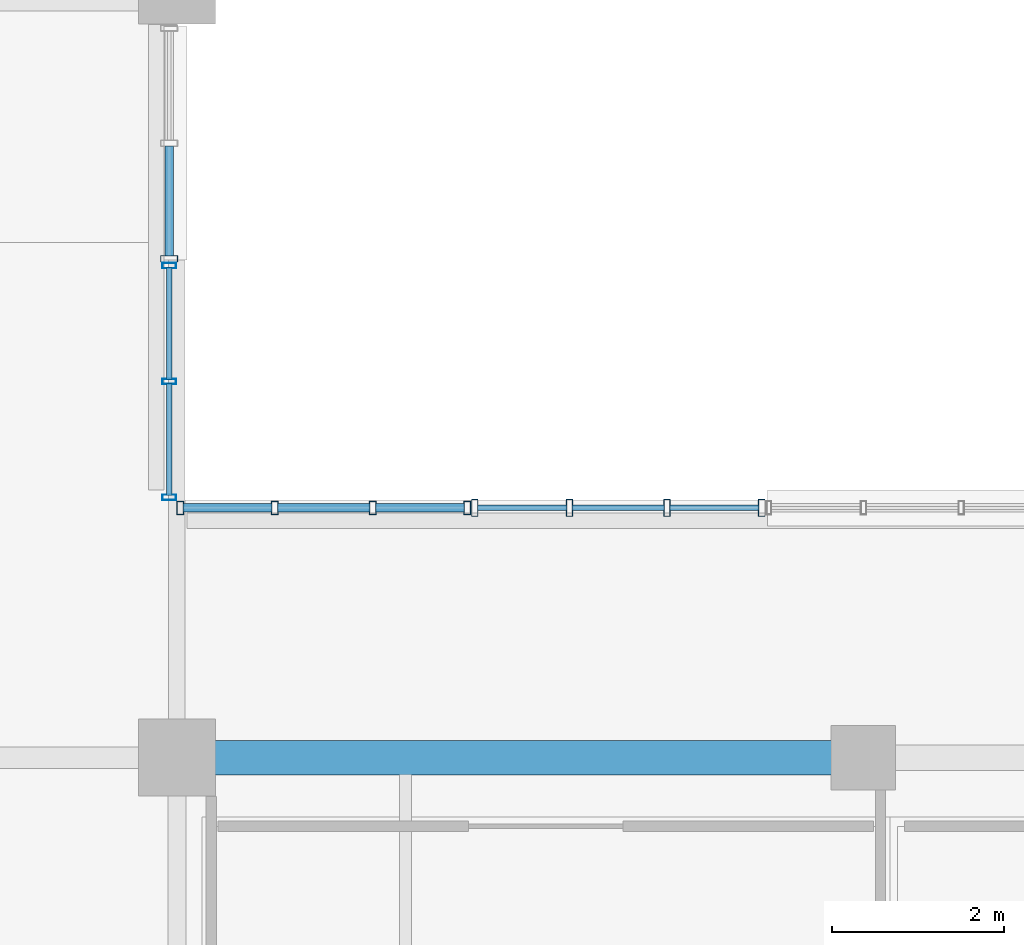
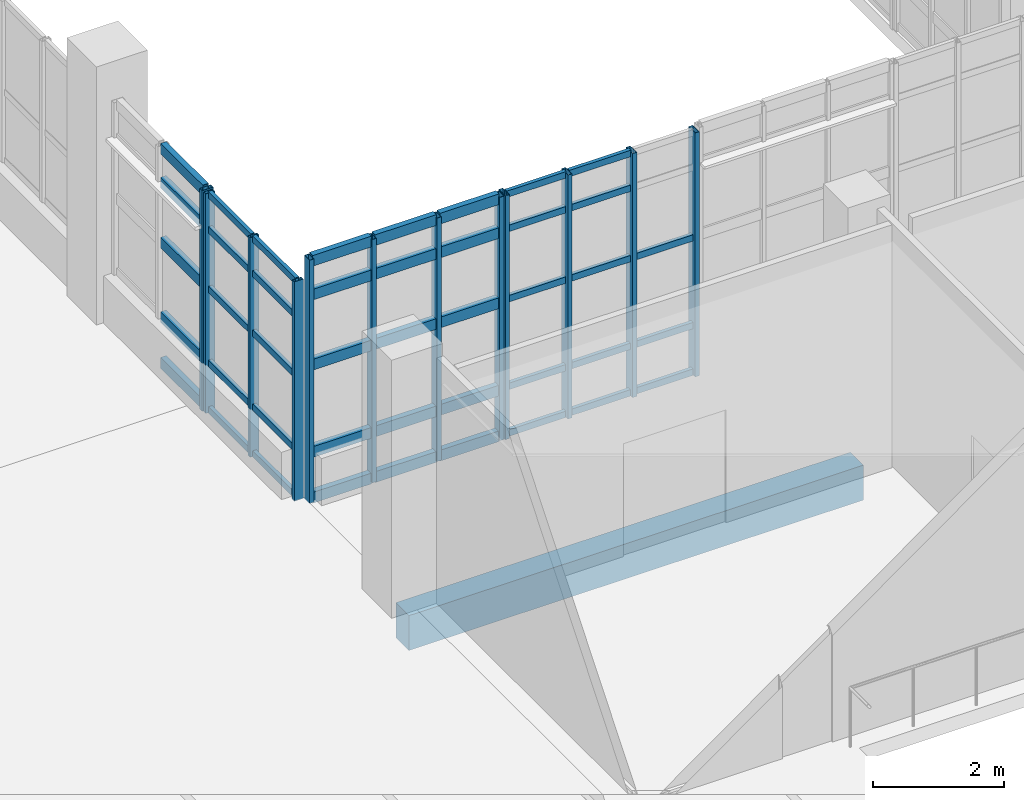
# One storey, part 21 of 102: 55 members, 1 beam, 4 elements without a shape of their own.
"""IFC4 building model written with IfcOpenShell, lengths in metres."""

import ifcopenshell
import ifcopenshell.guid

model = None  # the IFC model being written
_history = None  # IfcOwnerHistory: only IFC2X3 demands one
_inside = {}  # id of a spatial element -> (the spatial element, [elements in it])
_under = {}  # id of a project, library or spatial element -> (it, [spatial elements below it])
_declared = {}  # id of a project -> (the project, [libraries it declares])
_typed = {}  # id of a type object -> (the type object, [elements of that type])
_made_of = {}  # id of a material, layer set ... -> (it, [elements and type objects made of it])


def new_model(schema):
    """Start an empty IFC model of exactly this schema.

    Asked for "IFC4X3", IfcOpenShell would pick the latest addendum, in which some entities
    have other attributes; the version numbers below select the first issue.
    IFC2X3 requires an IfcOwnerHistory on every rooted entity: one is made here for all.
    """
    global model, _history
    if schema == "IFC4X3":
        model = ifcopenshell.file(schema_version=(4, 3, 0, 0))
    else:
        model = ifcopenshell.file(schema=schema)
    _inside.clear()
    _under.clear()
    _declared.clear()
    _typed.clear()
    _made_of.clear()
    _history = None
    if model.schema == "IFC2X3":
        org = make("IfcOrganization", Name="unknown")
        user = make(
            "IfcPersonAndOrganization",
            ThePerson=make("IfcPerson", FamilyName="unknown"),
            TheOrganization=org,
        )
        app = make(
            "IfcApplication",
            ApplicationDeveloper=org,
            Version="unknown",
            ApplicationFullName="unknown",
            ApplicationIdentifier="unknown",
        )
        _history = make(
            "IfcOwnerHistory",
            OwningUser=user,
            OwningApplication=app,
            ChangeAction="ADDED",
            CreationDate=0,
        )
    return model


def make(cls, **values):
    """One entity of the class cls with the attributes given. An attribute that is None is left unset."""
    return model.create_entity(
        cls, **{name: value for name, value in values.items() if value is not None}
    )


def rooted(cls, **values):
    """An entity with a GlobalId (a new one), such as an element, a storey or a relation."""
    return make(cls, GlobalId=ifcopenshell.guid.new(), OwnerHistory=_history, **values)


def si_unit(unit_type, name, prefix=None):
    """IfcSIUnit, for example si_unit("LENGTHUNIT", "METRE", prefix="MILLI")."""
    return make("IfcSIUnit", UnitType=unit_type, Prefix=prefix, Name=name)


def derived_unit(unit_type, elements):
    """IfcDerivedUnit: a product of units, each with its exponent."""
    return make(
        "IfcDerivedUnit",
        Elements=[
            make("IfcDerivedUnitElement", Unit=unit, Exponent=power)
            for unit, power in elements
        ],
        UnitType=unit_type,
    )


def assignment(units):
    """IfcUnitAssignment: the units of a project."""
    return None if units is None else make("IfcUnitAssignment", Units=units)


def point(xyz):
    """IfcCartesianPoint."""
    return None if xyz is None else make("IfcCartesianPoint", Coordinates=xyz)


def direction(xyz):
    """IfcDirection."""
    return None if xyz is None else make("IfcDirection", DirectionRatios=xyz)


def frame(location, z_axis=None, x_axis=None):
    """IfcAxis2Placement3D, a coordinate frame: its origin and axes. An axis left out is left unset."""
    return make(
        "IfcAxis2Placement3D",
        Location=point(location),
        Axis=direction(z_axis),
        RefDirection=direction(x_axis),
    )


def frame_2d(location, x_axis=None):
    """IfcAxis2Placement2D, a coordinate frame in the plane: its origin and x axis."""
    return make(
        "IfcAxis2Placement2D", Location=point(location), RefDirection=direction(x_axis)
    )


def origin():
    """The frame at (0, 0, 0) with its axes left unset."""
    return frame((0.0, 0.0, 0.0))


def origin_2d():
    """The frame at (0, 0) in the plane with its x axis left unset."""
    return frame_2d((0.0, 0.0))


def place(relative_to, where):
    """IfcLocalPlacement: puts the frame where relative to a parent placement (None: the world)."""
    return make(
        "IfcLocalPlacement", PlacementRelTo=relative_to, RelativePlacement=where
    )


def context(
    kind, dimensions, precision=None, world=None, true_north=None, identifier=None
):
    """IfcGeometricRepresentationContext, for example the 3D "Model" context."""
    return make(
        "IfcGeometricRepresentationContext",
        ContextIdentifier=identifier,
        ContextType=kind,
        CoordinateSpaceDimension=dimensions,
        Precision=precision,
        WorldCoordinateSystem=world,
        TrueNorth=true_north,
    )


def subcontext(parent, identifier, kind, view, scale=None):
    """IfcGeometricRepresentationSubContext, for example "Body" below "Model"."""
    return make(
        "IfcGeometricRepresentationSubContext",
        ContextIdentifier=identifier,
        ContextType=kind,
        ParentContext=parent,
        TargetScale=scale,
        TargetView=view,
    )


def project(units=None, contexts=None):
    """IfcProject with its units and contexts."""
    return rooted(
        "IfcProject",
        Name="project",
        RepresentationContexts=contexts,
        UnitsInContext=assignment(units),
    )


def spatial(cls, under=None, at=None, **own):
    """A site, building, storey or space (cls), placed at a placement, below another one or the project."""
    s = rooted(cls, ObjectPlacement=at, **own)
    if under is not None:
        _under.setdefault(under.id(), (under, []))[1].append(s)
    return s


def profile(cls, at=None, kind="AREA", **sizes):
    """A parametric profile (cls). Its sizes go by their IFC names, for example OverallWidth=200.0."""
    return make(cls, ProfileType=kind, Position=at, **sizes)


def rectangle(**sizes):
    """IfcRectangleProfileDef."""
    return profile("IfcRectangleProfileDef", **sizes)


def hollow_rectangle(**sizes):
    """IfcRectangleHollowProfileDef."""
    return profile("IfcRectangleHollowProfileDef", **sizes)


def extrude(swept, where, along, depth):
    """IfcExtrudedAreaSolid: the profile swept, set in the frame where, extruded along a direction by depth."""
    return make(
        "IfcExtrudedAreaSolid",
        SweptArea=swept,
        Position=where,
        ExtrudedDirection=direction(along),
        Depth=depth,
    )


def shape(context_of_items, identifier, shape_type, items):
    """IfcShapeRepresentation: the items that make up one representation, for example the "Body"."""
    return make(
        "IfcShapeRepresentation",
        ContextOfItems=context_of_items,
        RepresentationIdentifier=identifier,
        RepresentationType=shape_type,
        Items=items,
    )


def material(Name=None, Category=None):
    """IfcMaterial."""
    return make("IfcMaterial", Name=Name, Category=Category)


def layer(
    of_material, thickness, ventilated=None, Name=None, Category=None, Priority=None
):
    """IfcMaterialLayer: one layer of a wall or slab, of a material (None: an air gap)."""
    return make(
        "IfcMaterialLayer",
        Material=of_material,
        LayerThickness=thickness,
        IsVentilated=ventilated,
        Name=Name,
        Category=Category,
        Priority=Priority,
    )


def layer_set(layers, Name=None):
    """IfcMaterialLayerSet."""
    return make("IfcMaterialLayerSet", MaterialLayers=layers, LayerSetName=Name)


def material_profile(
    of_material, cross_section, Name=None, Category=None, Priority=None
):
    """IfcMaterialProfile: a cross section and its material."""
    return make(
        "IfcMaterialProfile",
        Name=Name,
        Material=of_material,
        Profile=cross_section,
        Priority=Priority,
        Category=Category,
    )


def profile_set(profiles, Name=None, composite=None):
    """IfcMaterialProfileSet."""
    return make(
        "IfcMaterialProfileSet",
        Name=Name,
        MaterialProfiles=profiles,
        CompositeProfile=composite,
    )


def made_of(thing, what):
    """Note that an element or type object is made of a material, layer set ...; save() writes the relation."""
    if what is not None:
        _made_of.setdefault(what.id(), (what, []))[1].append(thing)
    return thing


def type_object(cls, material=None, **own):
    """A type object (cls), such as IfcWallType, which elements share."""
    return made_of(rooted(cls, **own), material)


def element(
    cls,
    number,
    at=None,
    inside=None,
    cuts=None,
    type_object=None,
    material=None,
    context=None,
    identifier="Body",
    shape_type=None,
    held_by="IfcProductDefinitionShape",
    body=None,
    shapes=None,
    **own,
):
    """One element of the class cls, such as IfcWall. Its Tag is "e" and its number.

    at: its placement. inside: the storey or other place that contains it. cuts: it is an
    opening in that element (IfcRelVoidsElement). A single representation is given by context,
    identifier, shape_type and body (its items); several are given by shapes. held_by: the class
    of the entity that holds the representations. save() writes the other relations.
    """
    e = rooted(cls, Tag="e%d" % number, ObjectPlacement=at, **own)
    if body is not None:
        shapes = [shape(context, identifier, shape_type, body)]
    if shapes is not None:
        e.Representation = make(held_by, Representations=shapes)
    if inside is not None:
        _inside.setdefault(inside.id(), (inside, []))[1].append(e)
    if cuts is not None:
        rooted(
            "IfcRelVoidsElement", RelatingBuildingElement=cuts, RelatedOpeningElement=e
        )
    if type_object is not None:
        _typed.setdefault(type_object.id(), (type_object, []))[1].append(e)
    return made_of(e, material)


def aggregate(whole, parts):
    """IfcRelAggregates: a whole, such as a stair, and the parts it consists of."""
    return rooted("IfcRelAggregates", RelatingObject=whole, RelatedObjects=parts)


def save(model, path):
    """Write the relations noted so far, then the file.

    IfcRelAggregates (storeys below a building ...), IfcRelContainedInSpatialStructure (elements
    in a storey), IfcRelDefinesByType, IfcRelAssociatesMaterial and IfcRelDeclares: one each for
    every whole, place, type object, material and project.
    """
    for whole, parts in _under.values():
        aggregate(whole, parts)
    for where, things in _inside.values():
        rooted(
            "IfcRelContainedInSpatialStructure",
            RelatedElements=things,
            RelatingStructure=where,
        )
    for kind, things in _typed.values():
        rooted("IfcRelDefinesByType", RelatedObjects=things, RelatingType=kind)
    for what, things in _made_of.values():
        rooted("IfcRelAssociatesMaterial", RelatedObjects=things, RelatingMaterial=what)
    for by, libraries in _declared.values():
        rooted("IfcRelDeclares", RelatingContext=by, RelatedDefinitions=libraries)
    model.write(path)


model = new_model("IFC4")

# Units and contexts
model_context = context("Model", 3, precision=1e-05, world=origin(), true_north=direction((0.0, 1.0)))
body_context = subcontext(model_context, "Body", "Model", "MODEL_VIEW")
ifc_project = project(units=[si_unit("LENGTHUNIT", "METRE"), si_unit("AREAUNIT", "SQUARE_METRE"), si_unit("VOLUMEUNIT", "CUBIC_METRE"), si_unit("PLANEANGLEUNIT", "RADIAN"), si_unit("MASSUNIT", "GRAM", prefix="KILO"), derived_unit("THERMALTRANSMITTANCEUNIT", [(si_unit("POWERUNIT", "WATT"), 1), (si_unit("LENGTHUNIT", "METRE"), -2), (si_unit("THERMODYNAMICTEMPERATUREUNIT", "KELVIN"), -1)])], contexts=[model_context])

# Site, building, storey
site_placement = place(None, origin())
site = spatial("IfcSite", under=ifc_project, at=site_placement, CompositionType="ELEMENT")
building_placement = place(site_placement, origin())
building = spatial("IfcBuilding", under=site, at=building_placement, Name="Nallur Shell Playhouse", CompositionType="ELEMENT")
storey_placement = place(building_placement, frame((0.0, 0.0, 15.0)))
storey = spatial("IfcBuildingStorey", under=building, at=storey_placement, Name="L04", CompositionType="ELEMENT", Elevation=15.0)

# Beam
ifc_material_1 = material(Name="Concrete M35", Category="concrete")
ifc_material_profile_1 = material_profile(ifc_material_1, rectangle(XDim=0.39990234375, YDim=0.64990234375, at=origin_2d()), Name="RC 400x650")
ifc_profile_set_1 = profile_set([ifc_material_profile_1], Name="Concrete M35")
beam_type = type_object("IfcBeamType", Name="BM-RC-400x650", PredefinedType="BEAM", material=ifc_profile_set_1)
beam_placement = place(storey_placement, frame((40.0, 41.0, -0.5849609375), z_axis=(1.0, 0.0, 0.0), x_axis=(0.0, 1.0, 0.0)))
element("IfcBeam", 1, at=beam_placement, inside=storey, type_object=beam_type, Name="L04 girder X-E-767", PredefinedType="BEAM", context=body_context, shape_type="SweptSolid", body=[
    extrude(rectangle(XDim=0.39990234375, YDim=0.64990234375, at=origin_2d()), origin(), (0.0, 0.0, 1.0), 8.0),
])

# Curtain wall, members
ifc_material_2 = material(Name="Anodised Aluminium Double-Glazed Facade System", Category="aluminium")
ifc_layer_1 = layer(ifc_material_2, 0.159912109375)
ifc_layer_set_1 = layer_set([ifc_layer_1], Name="Anodised Aluminium Double-Glazed Facade System")
curtain_wall_type_1 = type_object("IfcCurtainWallType", Name="CW-UNIT-18", PredefinedType="NOTDEFINED", material=ifc_layer_set_1)
curtain_wall_1_placement = place(storey_placement, origin())
curtain_wall_1 = element("IfcCurtainWall", 2, at=curtain_wall_1_placement, inside=storey, type_object=curtain_wall_type_1, Name="Unitised curtain wall CW-146 (L04)", PredefinedType="NOTDEFINED")
ifc_material_3 = material(Name="Aluminium Alloy 6063-T6 Mullion", Category="aluminium")
ifc_material_profile_2 = material_profile(ifc_material_3, hollow_rectangle(XDim=0.080078125, YDim=0.159912109375, WallThickness=0.006103515625, at=origin_2d()), Name="RHS 160x80x6")
ifc_profile_set_2 = profile_set([ifc_material_profile_2], Name="Aluminium Alloy 6063-T6 Mullion")
member_type_1 = type_object("IfcMemberType", Name="MB-CW-MUL150", PredefinedType="MULLION", material=ifc_profile_set_2)
member_1_placement = place(storey_placement, frame((40.0400390625, 43.909912109375, -0.014892578125), z_axis=(0.0, 0.0, 1.0), x_axis=(1.0, 0.0, 0.0)))
member_1 = element("IfcMember", 3, at=member_1_placement, type_object=member_type_1, Name="CW-18 mullion 1", PredefinedType="MULLION", context=body_context, shape_type="SweptSolid", body=[
    extrude(hollow_rectangle(XDim=0.080078125, YDim=0.159912109375, WallThickness=0.006103515625, at=origin_2d()), origin(), (0.0, 0.0, 1.0), 4.52880859375),
])
member_2_placement = place(storey_placement, frame((41.14111328125, 43.909912109375, -0.014892578125), z_axis=(0.0, 0.0, 1.0), x_axis=(1.0, 0.0, 0.0)))
member_2 = element("IfcMember", 4, at=member_2_placement, type_object=member_type_1, Name="CW-18 mullion 2", PredefinedType="MULLION", context=body_context, shape_type="SweptSolid", body=[
    extrude(hollow_rectangle(XDim=0.080078125, YDim=0.159912109375, WallThickness=0.006103515625, at=origin_2d()), origin(), (0.0, 0.0, 1.0), 4.52880859375),
])
member_3_placement = place(storey_placement, frame((42.282470703125, 43.909912109375, -0.014892578125), z_axis=(0.0, 0.0, 1.0), x_axis=(1.0, 0.0, 0.0)))
member_3 = element("IfcMember", 5, at=member_3_placement, type_object=member_type_1, Name="CW-18 mullion 3", PredefinedType="MULLION", context=body_context, shape_type="SweptSolid", body=[
    extrude(hollow_rectangle(XDim=0.080078125, YDim=0.159912109375, WallThickness=0.006103515625, at=origin_2d()), origin(), (0.0, 0.0, 1.0), 4.52880859375),
])
member_4_placement = place(storey_placement, frame((43.383544921875, 43.909912109375, -0.014892578125), z_axis=(0.0, 0.0, 1.0), x_axis=(1.0, 0.0, 0.0)))
member_4 = element("IfcMember", 6, at=member_4_placement, type_object=member_type_1, Name="CW-18 mullion 4", PredefinedType="MULLION", context=body_context, shape_type="SweptSolid", body=[
    extrude(hollow_rectangle(XDim=0.080078125, YDim=0.159912109375, WallThickness=0.006103515625, at=origin_2d()), origin(), (0.0, 0.0, 1.0), 4.52880859375),
])

ifc_layer_2 = layer(ifc_material_2, 0.179931640625)
ifc_layer_set_2 = layer_set([ifc_layer_2], Name="Anodised Aluminium Double-Glazed Facade System")
curtain_wall_type_2 = type_object("IfcCurtainWallType", Name="CW-UNIT-17", PredefinedType="NOTDEFINED", material=ifc_layer_set_2)
curtain_wall_2_placement = place(storey_placement, origin())
curtain_wall_2 = element("IfcCurtainWall", 7, at=curtain_wall_2_placement, inside=storey, type_object=curtain_wall_type_2, Name="Unitised curtain wall CW-145 (L04)", PredefinedType="NOTDEFINED")
ifc_material_profile_3 = material_profile(ifc_material_3, hollow_rectangle(XDim=0.06494140625, YDim=0.159912109375, WallThickness=0.00390625, at=origin_2d()), Name="ALU 65x160x4")
ifc_profile_set_3 = profile_set([ifc_material_profile_3], Name="Aluminium Alloy 6063-T6 Mullion")
member_type_2 = type_object("IfcMemberType", Name="MB-CW-MUL160", PredefinedType="MULLION", material=ifc_profile_set_3)
member_5_placement = place(storey_placement, frame((39.909912109375, 46.7333984375, -0.014892578125), z_axis=(0.0, 0.0, 1.0), x_axis=(0.0, -1.0, 0.0)))
member_5 = element("IfcMember", 8, at=member_5_placement, type_object=member_type_2, Name="CW-17 mullion 1", PredefinedType="MULLION", context=body_context, shape_type="SweptSolid", body=[
    extrude(hollow_rectangle(XDim=0.06494140625, YDim=0.159912109375, WallThickness=0.00390625, at=origin_2d()), origin(), (0.0, 0.0, 1.0), 4.083984375),
])
member_6_placement = place(storey_placement, frame((39.909912109375, 45.383056640625, -0.014892578125), z_axis=(0.0, 0.0, 1.0), x_axis=(0.0, -1.0, 0.0)))
member_6 = element("IfcMember", 9, at=member_6_placement, type_object=member_type_2, Name="CW-17 mullion 2", PredefinedType="MULLION", context=body_context, shape_type="SweptSolid", body=[
    extrude(hollow_rectangle(XDim=0.06494140625, YDim=0.159912109375, WallThickness=0.00390625, at=origin_2d()), origin(), (0.0, 0.0, 1.0), 4.083984375),
])
member_7_placement = place(storey_placement, frame((39.909912109375, 44.032470703125, -0.014892578125), z_axis=(0.0, 0.0, 1.0), x_axis=(0.0, -1.0, 0.0)))
member_7 = element("IfcMember", 10, at=member_7_placement, type_object=member_type_2, Name="CW-17 mullion 3", PredefinedType="MULLION", context=body_context, shape_type="SweptSolid", body=[
    extrude(hollow_rectangle(XDim=0.06494140625, YDim=0.159912109375, WallThickness=0.00390625, at=origin_2d()), origin(), (0.0, 0.0, 1.0), 4.083984375),
])

# Curtain wall, member
ifc_layer_3 = layer(ifc_material_2, 0.176025390625)
ifc_layer_set_3 = layer_set([ifc_layer_3], Name="Anodised Aluminium Double-Glazed Facade System")
curtain_wall_type_3 = type_object("IfcCurtainWallType", Name="CW-UNIT-16", PredefinedType="NOTDEFINED", material=ifc_layer_set_3)
curtain_wall_3_placement = place(storey_placement, origin())
curtain_wall_3 = element("IfcCurtainWall", 11, at=curtain_wall_3_placement, inside=storey, type_object=curtain_wall_type_3, Name="Unitised curtain wall CW-144 (L04)", PredefinedType="NOTDEFINED")
ifc_material_profile_4 = material_profile(ifc_material_3, hollow_rectangle(XDim=0.074951171875, YDim=0.199951171875, WallThickness=0.0048828125, at=origin_2d()), Name="ALU 75x200x5")
ifc_profile_set_4 = profile_set([ifc_material_profile_4], Name="Aluminium Alloy 6063-T6 Mullion")
member_type_3 = type_object("IfcMemberType", Name="MB-CW-MUL180", PredefinedType="MULLION", material=ifc_profile_set_4)
member_8_placement = place(storey_placement, frame((39.909912109375, 46.8134765625, -0.014892578125), z_axis=(0.0, 0.0, 1.0), x_axis=(0.0, -1.0, 0.0)))
member_8 = element("IfcMember", 12, at=member_8_placement, type_object=member_type_3, Name="CW-16 mullion 3", PredefinedType="MULLION", context=body_context, shape_type="SweptSolid", body=[
    extrude(hollow_rectangle(XDim=0.074951171875, YDim=0.199951171875, WallThickness=0.0048828125, at=origin_2d()), origin(), (0.0, 0.0, 1.0), 4.10400390625),
])

# Curtain wall, members
ifc_layer_4 = layer(ifc_material_2, 0.1640625)
ifc_layer_set_4 = layer_set([ifc_layer_4], Name="Anodised Aluminium Double-Glazed Facade System")
curtain_wall_type_4 = type_object("IfcCurtainWallType", Name="CW-UNIT-19", PredefinedType="NOTDEFINED", material=ifc_layer_set_4)
curtain_wall_4_placement = place(storey_placement, origin())
curtain_wall_4 = element("IfcCurtainWall", 13, at=curtain_wall_4_placement, inside=storey, type_object=curtain_wall_type_4, Name="Unitised curtain wall CW-147 (L04)", PredefinedType="NOTDEFINED")
member_9_placement = place(storey_placement, frame((43.47119140625, 43.909912109375, -0.014892578125), z_axis=(0.0, 0.0, 1.0), x_axis=(1.0, 0.0, 0.0)))
member_9 = element("IfcMember", 14, at=member_9_placement, type_object=member_type_3, Name="CW-19 mullion 1", PredefinedType="MULLION", context=body_context, shape_type="SweptSolid", body=[
    extrude(hollow_rectangle(XDim=0.074951171875, YDim=0.199951171875, WallThickness=0.0048828125, at=origin_2d()), origin(), (0.0, 0.0, 1.0), 4.538818359375),
])
member_10_placement = place(storey_placement, frame((44.572998046875, 43.909912109375, -0.014892578125), z_axis=(0.0, 0.0, 1.0), x_axis=(1.0, 0.0, 0.0)))
member_10 = element("IfcMember", 15, at=member_10_placement, type_object=member_type_3, Name="CW-19 mullion 2", PredefinedType="MULLION", context=body_context, shape_type="SweptSolid", body=[
    extrude(hollow_rectangle(XDim=0.074951171875, YDim=0.199951171875, WallThickness=0.0048828125, at=origin_2d()), origin(), (0.0, 0.0, 1.0), 4.538818359375),
])
member_11_placement = place(storey_placement, frame((45.712646484375, 43.909912109375, -0.014892578125), z_axis=(0.0, 0.0, 1.0), x_axis=(1.0, 0.0, 0.0)))
member_11 = element("IfcMember", 16, at=member_11_placement, type_object=member_type_3, Name="CW-19 mullion 3", PredefinedType="MULLION", context=body_context, shape_type="SweptSolid", body=[
    extrude(hollow_rectangle(XDim=0.074951171875, YDim=0.199951171875, WallThickness=0.0048828125, at=origin_2d()), origin(), (0.0, 0.0, 1.0), 4.538818359375),
])
member_12_placement = place(storey_placement, frame((46.814697265625, 43.909912109375, -0.014892578125), z_axis=(0.0, 0.0, 1.0), x_axis=(1.0, 0.0, 0.0)))
member_12 = element("IfcMember", 17, at=member_12_placement, type_object=member_type_3, Name="CW-19 mullion 4", PredefinedType="MULLION", context=body_context, shape_type="SweptSolid", body=[
    extrude(hollow_rectangle(XDim=0.074951171875, YDim=0.199951171875, WallThickness=0.0048828125, at=origin_2d()), origin(), (0.0, 0.0, 1.0), 4.538818359375),
])

# Member
ifc_material_4 = material(Name="Aluminium Alloy 6063-T6 Transom", Category="aluminium")
ifc_material_profile_5 = material_profile(ifc_material_4, hollow_rectangle(XDim=0.06494140625, YDim=0.1201171875, WallThickness=0.00390625, at=origin_2d()), Name="ALU 65x120x4")
ifc_profile_set_5 = profile_set([ifc_material_profile_5], Name="Aluminium Alloy 6063-T6 Transom")
member_type_4 = type_object("IfcMemberType", Name="MB-CW-TRN120", PredefinedType="USERDEFINED", material=ifc_profile_set_5)
member_13_placement = place(storey_placement, frame((39.909912109375, 46.708984375, 0.032470703125), z_axis=(0.0, -1.0, 0.0), x_axis=(1.0, 0.0, 0.0)))
member_13 = element("IfcMember", 18, at=member_13_placement, type_object=member_type_4, Name="CW-17 transom 1.1", ObjectType="TRANSOM", PredefinedType="USERDEFINED", context=body_context, shape_type="SweptSolid", body=[
    extrude(hollow_rectangle(XDim=0.06494140625, YDim=0.1201171875, WallThickness=0.00390625, at=origin_2d()), origin(), (0.0, 0.0, 1.0), 1.301513671875),
])

member_14_placement = place(storey_placement, frame((39.909912109375, 46.708984375, 0.89990234375), z_axis=(0.0, -1.0, 0.0), x_axis=(1.0, 0.0, 0.0)))
member_14 = element("IfcMember", 19, at=member_14_placement, type_object=member_type_4, Name="CW-17 transom 1.2", ObjectType="TRANSOM", PredefinedType="USERDEFINED", context=body_context, shape_type="SweptSolid", body=[
    extrude(hollow_rectangle(XDim=0.06494140625, YDim=0.1201171875, WallThickness=0.00390625, at=origin_2d()), origin(), (0.0, 0.0, 1.0), 1.301513671875),
])

member_15_placement = place(storey_placement, frame((39.909912109375, 46.708984375, 2.27587890625), z_axis=(0.0, -1.0, 0.0), x_axis=(1.0, 0.0, 0.0)))
member_15 = element("IfcMember", 20, at=member_15_placement, type_object=member_type_4, Name="CW-17 transom 1.3", ObjectType="TRANSOM", PredefinedType="USERDEFINED", context=body_context, shape_type="SweptSolid", body=[
    extrude(hollow_rectangle(XDim=0.06494140625, YDim=0.1201171875, WallThickness=0.00390625, at=origin_2d()), origin(), (0.0, 0.0, 1.0), 1.301513671875),
])

member_16_placement = place(storey_placement, frame((39.909912109375, 46.708984375, 3.385009765625), z_axis=(0.0, -1.0, 0.0), x_axis=(1.0, 0.0, 0.0)))
member_16 = element("IfcMember", 21, at=member_16_placement, type_object=member_type_4, Name="CW-17 transom 1.4", ObjectType="TRANSOM", PredefinedType="USERDEFINED", context=body_context, shape_type="SweptSolid", body=[
    extrude(hollow_rectangle(XDim=0.06494140625, YDim=0.1201171875, WallThickness=0.00390625, at=origin_2d()), origin(), (0.0, 0.0, 1.0), 1.301513671875),
])

member_17_placement = place(storey_placement, frame((39.909912109375, 46.708984375, 4.032470703125), z_axis=(0.0, -1.0, 0.0), x_axis=(1.0, 0.0, 0.0)))
member_17 = element("IfcMember", 22, at=member_17_placement, type_object=member_type_4, Name="CW-17 transom 1.5", ObjectType="TRANSOM", PredefinedType="USERDEFINED", context=body_context, shape_type="SweptSolid", body=[
    extrude(hollow_rectangle(XDim=0.06494140625, YDim=0.1201171875, WallThickness=0.00390625, at=origin_2d()), origin(), (0.0, 0.0, 1.0), 1.301513671875),
])

member_18_placement = place(storey_placement, frame((39.909912109375, 45.3583984375, 0.032470703125), z_axis=(0.0, -1.0, 0.0), x_axis=(1.0, 0.0, 0.0)))
member_18 = element("IfcMember", 23, at=member_18_placement, type_object=member_type_4, Name="CW-17 transom 2.1", ObjectType="TRANSOM", PredefinedType="USERDEFINED", context=body_context, shape_type="SweptSolid", body=[
    extrude(hollow_rectangle(XDim=0.06494140625, YDim=0.1201171875, WallThickness=0.00390625, at=origin_2d()), origin(), (0.0, 0.0, 1.0), 1.301513671875),
])

member_19_placement = place(storey_placement, frame((39.909912109375, 45.3583984375, 0.89990234375), z_axis=(0.0, -1.0, 0.0), x_axis=(1.0, 0.0, 0.0)))
member_19 = element("IfcMember", 24, at=member_19_placement, type_object=member_type_4, Name="CW-17 transom 2.2", ObjectType="TRANSOM", PredefinedType="USERDEFINED", context=body_context, shape_type="SweptSolid", body=[
    extrude(hollow_rectangle(XDim=0.06494140625, YDim=0.1201171875, WallThickness=0.00390625, at=origin_2d()), origin(), (0.0, 0.0, 1.0), 1.301513671875),
])

member_20_placement = place(storey_placement, frame((39.909912109375, 45.3583984375, 2.27587890625), z_axis=(0.0, -1.0, 0.0), x_axis=(1.0, 0.0, 0.0)))
member_20 = element("IfcMember", 25, at=member_20_placement, type_object=member_type_4, Name="CW-17 transom 2.3", ObjectType="TRANSOM", PredefinedType="USERDEFINED", context=body_context, shape_type="SweptSolid", body=[
    extrude(hollow_rectangle(XDim=0.06494140625, YDim=0.1201171875, WallThickness=0.00390625, at=origin_2d()), origin(), (0.0, 0.0, 1.0), 1.301513671875),
])

member_21_placement = place(storey_placement, frame((39.909912109375, 45.3583984375, 3.385009765625), z_axis=(0.0, -1.0, 0.0), x_axis=(1.0, 0.0, 0.0)))
member_21 = element("IfcMember", 26, at=member_21_placement, type_object=member_type_4, Name="CW-17 transom 2.4", ObjectType="TRANSOM", PredefinedType="USERDEFINED", context=body_context, shape_type="SweptSolid", body=[
    extrude(hollow_rectangle(XDim=0.06494140625, YDim=0.1201171875, WallThickness=0.00390625, at=origin_2d()), origin(), (0.0, 0.0, 1.0), 1.301513671875),
])

member_22_placement = place(storey_placement, frame((39.909912109375, 45.3583984375, 4.032470703125), z_axis=(0.0, -1.0, 0.0), x_axis=(1.0, 0.0, 0.0)))
member_22 = element("IfcMember", 27, at=member_22_placement, type_object=member_type_4, Name="CW-17 transom 2.5", ObjectType="TRANSOM", PredefinedType="USERDEFINED", context=body_context, shape_type="SweptSolid", body=[
    extrude(hollow_rectangle(XDim=0.06494140625, YDim=0.1201171875, WallThickness=0.00390625, at=origin_2d()), origin(), (0.0, 0.0, 1.0), 1.301513671875),
])

aggregate(curtain_wall_2, [member_5, member_6, member_7, member_13, member_14, member_15, member_16, member_17, member_18, member_19, member_20, member_21, member_22])

member_23_placement = place(storey_placement, frame((43.50048828125, 43.909912109375, 0.032470703125), z_axis=(1.0, 0.0, 0.0), x_axis=(0.0, 1.0, 0.0)))
member_23 = element("IfcMember", 28, at=member_23_placement, type_object=member_type_4, Name="CW-19 transom 1.1", ObjectType="TRANSOM", PredefinedType="USERDEFINED", context=body_context, shape_type="SweptSolid", body=[
    extrude(hollow_rectangle(XDim=0.06494140625, YDim=0.1201171875, WallThickness=0.00390625, at=origin_2d()), origin(), (0.0, 0.0, 1.0), 1.043212890625),
])

member_24_placement = place(storey_placement, frame((43.50048828125, 43.909912109375, 0.89990234375), z_axis=(1.0, 0.0, 0.0), x_axis=(0.0, 1.0, 0.0)))
member_24 = element("IfcMember", 29, at=member_24_placement, type_object=member_type_4, Name="CW-19 transom 1.2", ObjectType="TRANSOM", PredefinedType="USERDEFINED", context=body_context, shape_type="SweptSolid", body=[
    extrude(hollow_rectangle(XDim=0.06494140625, YDim=0.1201171875, WallThickness=0.00390625, at=origin_2d()), origin(), (0.0, 0.0, 1.0), 1.043212890625),
])

member_25_placement = place(storey_placement, frame((43.50048828125, 43.909912109375, 2.531005859375), z_axis=(1.0, 0.0, 0.0), x_axis=(0.0, 1.0, 0.0)))
member_25 = element("IfcMember", 30, at=member_25_placement, type_object=member_type_4, Name="CW-19 transom 1.3", ObjectType="TRANSOM", PredefinedType="USERDEFINED", context=body_context, shape_type="SweptSolid", body=[
    extrude(hollow_rectangle(XDim=0.06494140625, YDim=0.1201171875, WallThickness=0.00390625, at=origin_2d()), origin(), (0.0, 0.0, 1.0), 1.043212890625),
])

member_26_placement = place(storey_placement, frame((43.50048828125, 43.909912109375, 3.840087890625), z_axis=(1.0, 0.0, 0.0), x_axis=(0.0, 1.0, 0.0)))
member_26 = element("IfcMember", 31, at=member_26_placement, type_object=member_type_4, Name="CW-19 transom 1.4", ObjectType="TRANSOM", PredefinedType="USERDEFINED", context=body_context, shape_type="SweptSolid", body=[
    extrude(hollow_rectangle(XDim=0.06494140625, YDim=0.1201171875, WallThickness=0.00390625, at=origin_2d()), origin(), (0.0, 0.0, 1.0), 1.043212890625),
])

member_27_placement = place(storey_placement, frame((43.50048828125, 43.909912109375, 4.487548828125), z_axis=(1.0, 0.0, 0.0), x_axis=(0.0, 1.0, 0.0)))
member_27 = element("IfcMember", 32, at=member_27_placement, type_object=member_type_4, Name="CW-19 transom 1.5", ObjectType="TRANSOM", PredefinedType="USERDEFINED", context=body_context, shape_type="SweptSolid", body=[
    extrude(hollow_rectangle(XDim=0.06494140625, YDim=0.1201171875, WallThickness=0.00390625, at=origin_2d()), origin(), (0.0, 0.0, 1.0), 1.043212890625),
])

member_28_placement = place(storey_placement, frame((44.6025390625, 43.909912109375, 0.032470703125), z_axis=(1.0, 0.0, 0.0), x_axis=(0.0, 1.0, 0.0)))
member_28 = element("IfcMember", 33, at=member_28_placement, type_object=member_type_4, Name="CW-19 transom 2.1", ObjectType="TRANSOM", PredefinedType="USERDEFINED", context=body_context, shape_type="SweptSolid", body=[
    extrude(hollow_rectangle(XDim=0.06494140625, YDim=0.1201171875, WallThickness=0.00390625, at=origin_2d()), origin(), (0.0, 0.0, 1.0), 1.08056640625),
])

member_29_placement = place(storey_placement, frame((44.6025390625, 43.909912109375, 0.89990234375), z_axis=(1.0, 0.0, 0.0), x_axis=(0.0, 1.0, 0.0)))
member_29 = element("IfcMember", 34, at=member_29_placement, type_object=member_type_4, Name="CW-19 transom 2.2", ObjectType="TRANSOM", PredefinedType="USERDEFINED", context=body_context, shape_type="SweptSolid", body=[
    extrude(hollow_rectangle(XDim=0.06494140625, YDim=0.1201171875, WallThickness=0.00390625, at=origin_2d()), origin(), (0.0, 0.0, 1.0), 1.08056640625),
])

member_30_placement = place(storey_placement, frame((44.6025390625, 43.909912109375, 2.531005859375), z_axis=(1.0, 0.0, 0.0), x_axis=(0.0, 1.0, 0.0)))
member_30 = element("IfcMember", 35, at=member_30_placement, type_object=member_type_4, Name="CW-19 transom 2.3", ObjectType="TRANSOM", PredefinedType="USERDEFINED", context=body_context, shape_type="SweptSolid", body=[
    extrude(hollow_rectangle(XDim=0.06494140625, YDim=0.1201171875, WallThickness=0.00390625, at=origin_2d()), origin(), (0.0, 0.0, 1.0), 1.08056640625),
])

member_31_placement = place(storey_placement, frame((44.6025390625, 43.909912109375, 3.840087890625), z_axis=(1.0, 0.0, 0.0), x_axis=(0.0, 1.0, 0.0)))
member_31 = element("IfcMember", 36, at=member_31_placement, type_object=member_type_4, Name="CW-19 transom 2.4", ObjectType="TRANSOM", PredefinedType="USERDEFINED", context=body_context, shape_type="SweptSolid", body=[
    extrude(hollow_rectangle(XDim=0.06494140625, YDim=0.1201171875, WallThickness=0.00390625, at=origin_2d()), origin(), (0.0, 0.0, 1.0), 1.08056640625),
])

member_32_placement = place(storey_placement, frame((44.6025390625, 43.909912109375, 4.487548828125), z_axis=(1.0, 0.0, 0.0), x_axis=(0.0, 1.0, 0.0)))
member_32 = element("IfcMember", 37, at=member_32_placement, type_object=member_type_4, Name="CW-19 transom 2.5", ObjectType="TRANSOM", PredefinedType="USERDEFINED", context=body_context, shape_type="SweptSolid", body=[
    extrude(hollow_rectangle(XDim=0.06494140625, YDim=0.1201171875, WallThickness=0.00390625, at=origin_2d()), origin(), (0.0, 0.0, 1.0), 1.08056640625),
])

member_33_placement = place(storey_placement, frame((45.7421875, 43.909912109375, 0.032470703125), z_axis=(1.0, 0.0, 0.0), x_axis=(0.0, 1.0, 0.0)))
member_33 = element("IfcMember", 38, at=member_33_placement, type_object=member_type_4, Name="CW-19 transom 3.1", ObjectType="TRANSOM", PredefinedType="USERDEFINED", context=body_context, shape_type="SweptSolid", body=[
    extrude(hollow_rectangle(XDim=0.06494140625, YDim=0.1201171875, WallThickness=0.00390625, at=origin_2d()), origin(), (0.0, 0.0, 1.0), 1.04296875),
])

member_34_placement = place(storey_placement, frame((45.7421875, 43.909912109375, 0.89990234375), z_axis=(1.0, 0.0, 0.0), x_axis=(0.0, 1.0, 0.0)))
member_34 = element("IfcMember", 39, at=member_34_placement, type_object=member_type_4, Name="CW-19 transom 3.2", ObjectType="TRANSOM", PredefinedType="USERDEFINED", context=body_context, shape_type="SweptSolid", body=[
    extrude(hollow_rectangle(XDim=0.06494140625, YDim=0.1201171875, WallThickness=0.00390625, at=origin_2d()), origin(), (0.0, 0.0, 1.0), 1.04296875),
])

member_35_placement = place(storey_placement, frame((45.7421875, 43.909912109375, 2.531005859375), z_axis=(1.0, 0.0, 0.0), x_axis=(0.0, 1.0, 0.0)))
member_35 = element("IfcMember", 40, at=member_35_placement, type_object=member_type_4, Name="CW-19 transom 3.3", ObjectType="TRANSOM", PredefinedType="USERDEFINED", context=body_context, shape_type="SweptSolid", body=[
    extrude(hollow_rectangle(XDim=0.06494140625, YDim=0.1201171875, WallThickness=0.00390625, at=origin_2d()), origin(), (0.0, 0.0, 1.0), 1.04296875),
])

aggregate(curtain_wall_4, [member_9, member_10, member_11, member_12, member_23, member_24, member_25, member_26, member_27, member_28, member_29, member_30, member_31, member_32, member_33, member_34, member_35])

ifc_material_profile_6 = material_profile(ifc_material_4, hollow_rectangle(XDim=0.10009765625, YDim=0.199951171875, WallThickness=0.008056640625, at=origin_2d()), Name="RHS 200x100x8")
ifc_profile_set_6 = profile_set([ifc_material_profile_6], Name="Aluminium Alloy 6063-T6 Transom")
member_type_5 = type_object("IfcMemberType", Name="MB-CW-TRN140", PredefinedType="USERDEFINED", material=ifc_profile_set_6)
member_36_placement = place(storey_placement, frame((39.909912109375, 48.12939453125, 0.050048828125), z_axis=(0.0, -1.0, 0.0), x_axis=(1.0, 0.0, 0.0)))
member_36 = element("IfcMember", 41, at=member_36_placement, type_object=member_type_5, Name="CW-16 transom 2.1", ObjectType="TRANSOM", PredefinedType="USERDEFINED", context=body_context, shape_type="SweptSolid", body=[
    extrude(hollow_rectangle(XDim=0.10009765625, YDim=0.199951171875, WallThickness=0.008056640625, at=origin_2d()), origin(), (0.0, 0.0, 1.0), 1.286376953125),
])

member_37_placement = place(storey_placement, frame((39.909912109375, 48.12939453125, 0.89990234375), z_axis=(0.0, -1.0, 0.0), x_axis=(1.0, 0.0, 0.0)))
member_37 = element("IfcMember", 42, at=member_37_placement, type_object=member_type_5, Name="CW-16 transom 2.2", ObjectType="TRANSOM", PredefinedType="USERDEFINED", context=body_context, shape_type="SweptSolid", body=[
    extrude(hollow_rectangle(XDim=0.10009765625, YDim=0.199951171875, WallThickness=0.008056640625, at=origin_2d()), origin(), (0.0, 0.0, 1.0), 1.286376953125),
])

member_38_placement = place(storey_placement, frame((39.909912109375, 48.12939453125, 2.2880859375), z_axis=(0.0, -1.0, 0.0), x_axis=(1.0, 0.0, 0.0)))
member_38 = element("IfcMember", 43, at=member_38_placement, type_object=member_type_5, Name="CW-16 transom 2.3", ObjectType="TRANSOM", PredefinedType="USERDEFINED", context=body_context, shape_type="SweptSolid", body=[
    extrude(hollow_rectangle(XDim=0.10009765625, YDim=0.199951171875, WallThickness=0.008056640625, at=origin_2d()), origin(), (0.0, 0.0, 1.0), 1.286376953125),
])

member_39_placement = place(storey_placement, frame((39.909912109375, 48.12939453125, 3.405029296875), z_axis=(0.0, -1.0, 0.0), x_axis=(1.0, 0.0, 0.0)))
member_39 = element("IfcMember", 44, at=member_39_placement, type_object=member_type_5, Name="CW-16 transom 2.4", ObjectType="TRANSOM", PredefinedType="USERDEFINED", context=body_context, shape_type="SweptSolid", body=[
    extrude(hollow_rectangle(XDim=0.10009765625, YDim=0.199951171875, WallThickness=0.008056640625, at=origin_2d()), origin(), (0.0, 0.0, 1.0), 1.286376953125),
])

member_40_placement = place(storey_placement, frame((39.909912109375, 48.12939453125, 4.034912109375), z_axis=(0.0, -1.0, 0.0), x_axis=(1.0, 0.0, 0.0)))
member_40 = element("IfcMember", 45, at=member_40_placement, type_object=member_type_5, Name="CW-16 transom 2.5", ObjectType="TRANSOM", PredefinedType="USERDEFINED", context=body_context, shape_type="SweptSolid", body=[
    extrude(hollow_rectangle(XDim=0.10009765625, YDim=0.199951171875, WallThickness=0.008056640625, at=origin_2d()), origin(), (0.0, 0.0, 1.0), 1.286376953125),
])

aggregate(curtain_wall_3, [member_8, member_36, member_37, member_38, member_39, member_40])

member_41_placement = place(storey_placement, frame((40.072021484375, 43.909912109375, 0.050048828125), z_axis=(1.0, 0.0, 0.0), x_axis=(0.0, 1.0, 0.0)))
member_41 = element("IfcMember", 46, at=member_41_placement, type_object=member_type_5, Name="CW-18 transom 1.1", ObjectType="TRANSOM", PredefinedType="USERDEFINED", context=body_context, shape_type="SweptSolid", body=[
    extrude(hollow_rectangle(XDim=0.10009765625, YDim=0.199951171875, WallThickness=0.008056640625, at=origin_2d()), origin(), (0.0, 0.0, 1.0), 1.037109375),
])

member_42_placement = place(storey_placement, frame((40.072021484375, 43.909912109375, 0.89990234375), z_axis=(1.0, 0.0, 0.0), x_axis=(0.0, 1.0, 0.0)))
member_42 = element("IfcMember", 47, at=member_42_placement, type_object=member_type_5, Name="CW-18 transom 1.2", ObjectType="TRANSOM", PredefinedType="USERDEFINED", context=body_context, shape_type="SweptSolid", body=[
    extrude(hollow_rectangle(XDim=0.10009765625, YDim=0.199951171875, WallThickness=0.008056640625, at=origin_2d()), origin(), (0.0, 0.0, 1.0), 1.037109375),
])

member_43_placement = place(storey_placement, frame((40.072021484375, 43.909912109375, 2.52587890625), z_axis=(1.0, 0.0, 0.0), x_axis=(0.0, 1.0, 0.0)))
member_43 = element("IfcMember", 48, at=member_43_placement, type_object=member_type_5, Name="CW-18 transom 1.3", ObjectType="TRANSOM", PredefinedType="USERDEFINED", context=body_context, shape_type="SweptSolid", body=[
    extrude(hollow_rectangle(XDim=0.10009765625, YDim=0.199951171875, WallThickness=0.008056640625, at=origin_2d()), origin(), (0.0, 0.0, 1.0), 1.037109375),
])

member_44_placement = place(storey_placement, frame((40.072021484375, 43.909912109375, 3.830078125), z_axis=(1.0, 0.0, 0.0), x_axis=(0.0, 1.0, 0.0)))
member_44 = element("IfcMember", 49, at=member_44_placement, type_object=member_type_5, Name="CW-18 transom 1.4", ObjectType="TRANSOM", PredefinedType="USERDEFINED", context=body_context, shape_type="SweptSolid", body=[
    extrude(hollow_rectangle(XDim=0.10009765625, YDim=0.199951171875, WallThickness=0.008056640625, at=origin_2d()), origin(), (0.0, 0.0, 1.0), 1.037109375),
])

member_45_placement = place(storey_placement, frame((40.072021484375, 43.909912109375, 4.4599609375), z_axis=(1.0, 0.0, 0.0), x_axis=(0.0, 1.0, 0.0)))
member_45 = element("IfcMember", 50, at=member_45_placement, type_object=member_type_5, Name="CW-18 transom 1.5", ObjectType="TRANSOM", PredefinedType="USERDEFINED", context=body_context, shape_type="SweptSolid", body=[
    extrude(hollow_rectangle(XDim=0.10009765625, YDim=0.199951171875, WallThickness=0.008056640625, at=origin_2d()), origin(), (0.0, 0.0, 1.0), 1.037109375),
])

member_46_placement = place(storey_placement, frame((41.173095703125, 43.909912109375, 0.050048828125), z_axis=(1.0, 0.0, 0.0), x_axis=(0.0, 1.0, 0.0)))
member_46 = element("IfcMember", 51, at=member_46_placement, type_object=member_type_5, Name="CW-18 transom 2.1", ObjectType="TRANSOM", PredefinedType="USERDEFINED", context=body_context, shape_type="SweptSolid", body=[
    extrude(hollow_rectangle(XDim=0.10009765625, YDim=0.199951171875, WallThickness=0.008056640625, at=origin_2d()), origin(), (0.0, 0.0, 1.0), 1.077392578125),
])

member_47_placement = place(storey_placement, frame((41.173095703125, 43.909912109375, 0.89990234375), z_axis=(1.0, 0.0, 0.0), x_axis=(0.0, 1.0, 0.0)))
member_47 = element("IfcMember", 52, at=member_47_placement, type_object=member_type_5, Name="CW-18 transom 2.2", ObjectType="TRANSOM", PredefinedType="USERDEFINED", context=body_context, shape_type="SweptSolid", body=[
    extrude(hollow_rectangle(XDim=0.10009765625, YDim=0.199951171875, WallThickness=0.008056640625, at=origin_2d()), origin(), (0.0, 0.0, 1.0), 1.077392578125),
])

member_48_placement = place(storey_placement, frame((41.173095703125, 43.909912109375, 2.52587890625), z_axis=(1.0, 0.0, 0.0), x_axis=(0.0, 1.0, 0.0)))
member_48 = element("IfcMember", 53, at=member_48_placement, type_object=member_type_5, Name="CW-18 transom 2.3", ObjectType="TRANSOM", PredefinedType="USERDEFINED", context=body_context, shape_type="SweptSolid", body=[
    extrude(hollow_rectangle(XDim=0.10009765625, YDim=0.199951171875, WallThickness=0.008056640625, at=origin_2d()), origin(), (0.0, 0.0, 1.0), 1.077392578125),
])

member_49_placement = place(storey_placement, frame((41.173095703125, 43.909912109375, 3.830078125), z_axis=(1.0, 0.0, 0.0), x_axis=(0.0, 1.0, 0.0)))
member_49 = element("IfcMember", 54, at=member_49_placement, type_object=member_type_5, Name="CW-18 transom 2.4", ObjectType="TRANSOM", PredefinedType="USERDEFINED", context=body_context, shape_type="SweptSolid", body=[
    extrude(hollow_rectangle(XDim=0.10009765625, YDim=0.199951171875, WallThickness=0.008056640625, at=origin_2d()), origin(), (0.0, 0.0, 1.0), 1.077392578125),
])

member_50_placement = place(storey_placement, frame((41.173095703125, 43.909912109375, 4.4599609375), z_axis=(1.0, 0.0, 0.0), x_axis=(0.0, 1.0, 0.0)))
member_50 = element("IfcMember", 55, at=member_50_placement, type_object=member_type_5, Name="CW-18 transom 2.5", ObjectType="TRANSOM", PredefinedType="USERDEFINED", context=body_context, shape_type="SweptSolid", body=[
    extrude(hollow_rectangle(XDim=0.10009765625, YDim=0.199951171875, WallThickness=0.008056640625, at=origin_2d()), origin(), (0.0, 0.0, 1.0), 1.077392578125),
])

member_51_placement = place(storey_placement, frame((42.314453125, 43.909912109375, 0.050048828125), z_axis=(1.0, 0.0, 0.0), x_axis=(0.0, 1.0, 0.0)))
member_51 = element("IfcMember", 56, at=member_51_placement, type_object=member_type_5, Name="CW-18 transom 3.1", ObjectType="TRANSOM", PredefinedType="USERDEFINED", context=body_context, shape_type="SweptSolid", body=[
    extrude(hollow_rectangle(XDim=0.10009765625, YDim=0.199951171875, WallThickness=0.008056640625, at=origin_2d()), origin(), (0.0, 0.0, 1.0), 1.037109375),
])

member_52_placement = place(storey_placement, frame((42.314453125, 43.909912109375, 0.89990234375), z_axis=(1.0, 0.0, 0.0), x_axis=(0.0, 1.0, 0.0)))
member_52 = element("IfcMember", 57, at=member_52_placement, type_object=member_type_5, Name="CW-18 transom 3.2", ObjectType="TRANSOM", PredefinedType="USERDEFINED", context=body_context, shape_type="SweptSolid", body=[
    extrude(hollow_rectangle(XDim=0.10009765625, YDim=0.199951171875, WallThickness=0.008056640625, at=origin_2d()), origin(), (0.0, 0.0, 1.0), 1.037109375),
])

member_53_placement = place(storey_placement, frame((42.314453125, 43.909912109375, 2.52587890625), z_axis=(1.0, 0.0, 0.0), x_axis=(0.0, 1.0, 0.0)))
member_53 = element("IfcMember", 58, at=member_53_placement, type_object=member_type_5, Name="CW-18 transom 3.3", ObjectType="TRANSOM", PredefinedType="USERDEFINED", context=body_context, shape_type="SweptSolid", body=[
    extrude(hollow_rectangle(XDim=0.10009765625, YDim=0.199951171875, WallThickness=0.008056640625, at=origin_2d()), origin(), (0.0, 0.0, 1.0), 1.037109375),
])

member_54_placement = place(storey_placement, frame((42.314453125, 43.909912109375, 3.830078125), z_axis=(1.0, 0.0, 0.0), x_axis=(0.0, 1.0, 0.0)))
member_54 = element("IfcMember", 59, at=member_54_placement, type_object=member_type_5, Name="CW-18 transom 3.4", ObjectType="TRANSOM", PredefinedType="USERDEFINED", context=body_context, shape_type="SweptSolid", body=[
    extrude(hollow_rectangle(XDim=0.10009765625, YDim=0.199951171875, WallThickness=0.008056640625, at=origin_2d()), origin(), (0.0, 0.0, 1.0), 1.037109375),
])

member_55_placement = place(storey_placement, frame((42.314453125, 43.909912109375, 4.4599609375), z_axis=(1.0, 0.0, 0.0), x_axis=(0.0, 1.0, 0.0)))
member_55 = element("IfcMember", 60, at=member_55_placement, type_object=member_type_5, Name="CW-18 transom 3.5", ObjectType="TRANSOM", PredefinedType="USERDEFINED", context=body_context, shape_type="SweptSolid", body=[
    extrude(hollow_rectangle(XDim=0.10009765625, YDim=0.199951171875, WallThickness=0.008056640625, at=origin_2d()), origin(), (0.0, 0.0, 1.0), 1.037109375),
])

aggregate(curtain_wall_1, [member_1, member_2, member_3, member_4, member_41, member_42, member_43, member_44, member_45, member_46, member_47, member_48, member_49, member_50, member_51, member_52, member_53, member_54, member_55])

save(model, "model.ifc")
